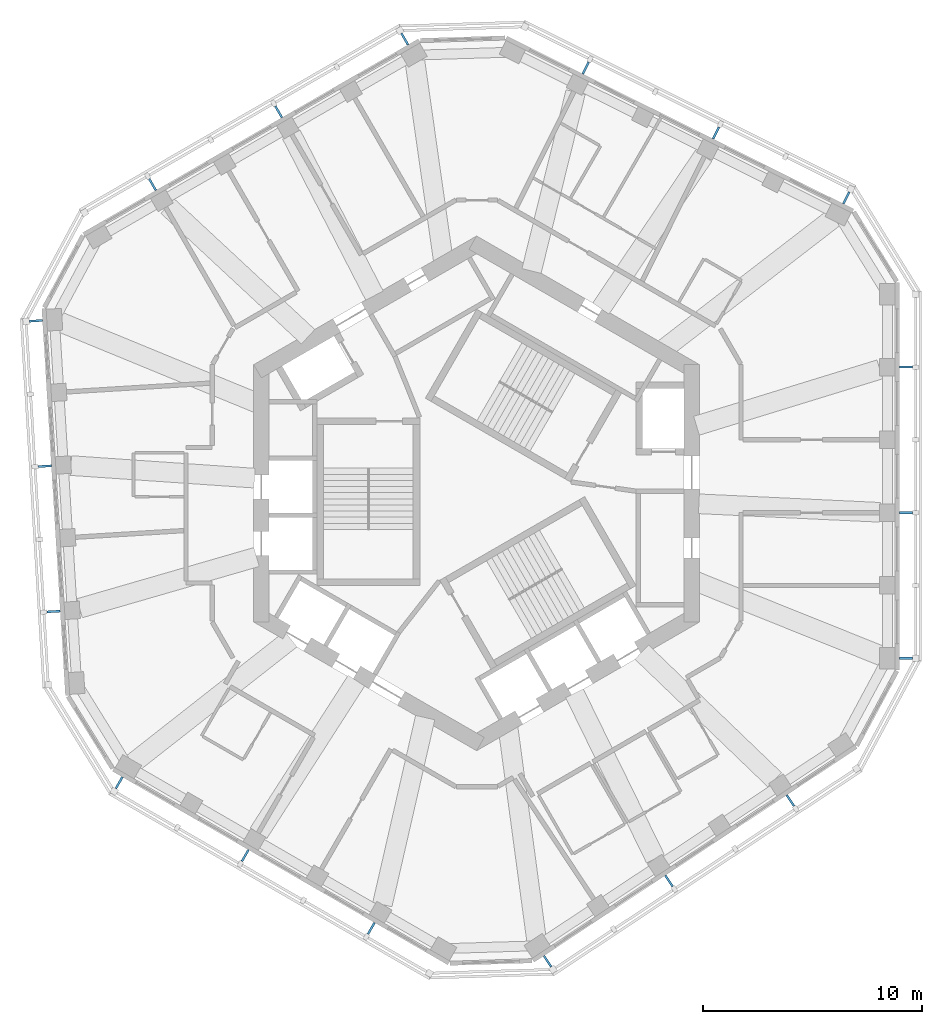
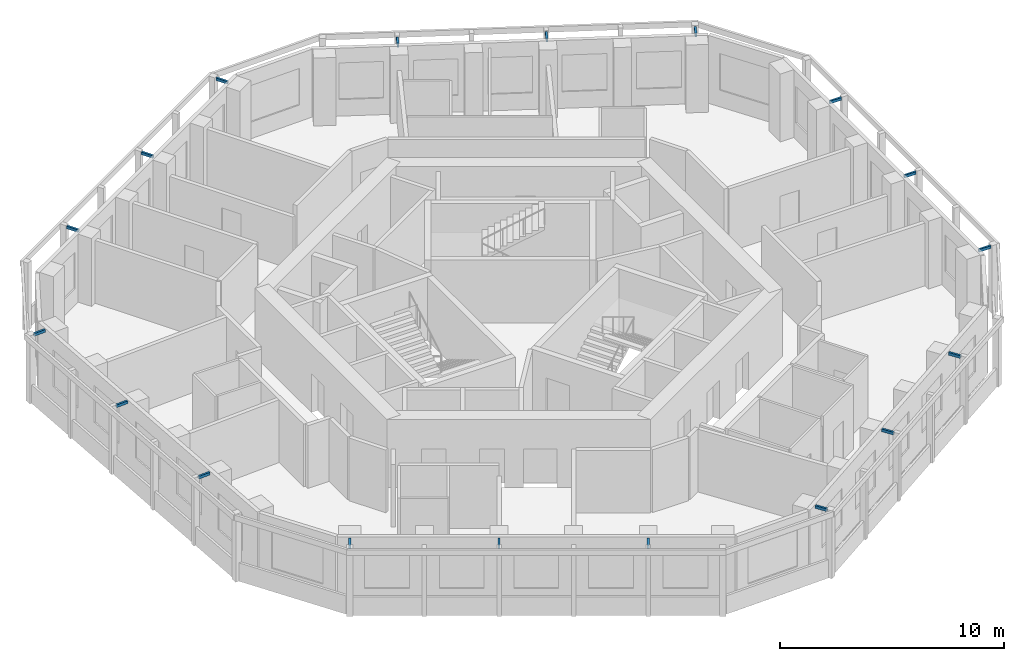
# One storey, part 10 of 11: 18 discrete accessories.
"""IFC4 building model written with IfcOpenShell, lengths in metres."""

import ifcopenshell
import ifcopenshell.guid

model = None  # the IFC model being written
_history = None  # IfcOwnerHistory: only IFC2X3 demands one
_inside = {}  # id of a spatial element -> (the spatial element, [elements in it])
_under = {}  # id of a project, library or spatial element -> (it, [spatial elements below it])
_declared = {}  # id of a project -> (the project, [libraries it declares])
_typed = {}  # id of a type object -> (the type object, [elements of that type])
_made_of = {}  # id of a material, layer set ... -> (it, [elements and type objects made of it])


def new_model(schema):
    """Start an empty IFC model of exactly this schema.

    Asked for "IFC4X3", IfcOpenShell would pick the latest addendum, in which some entities
    have other attributes; the version numbers below select the first issue.
    IFC2X3 requires an IfcOwnerHistory on every rooted entity: one is made here for all.
    """
    global model, _history
    if schema == "IFC4X3":
        model = ifcopenshell.file(schema_version=(4, 3, 0, 0))
    else:
        model = ifcopenshell.file(schema=schema)
    _inside.clear()
    _under.clear()
    _declared.clear()
    _typed.clear()
    _made_of.clear()
    _history = None
    if model.schema == "IFC2X3":
        org = make("IfcOrganization", Name="unknown")
        user = make(
            "IfcPersonAndOrganization",
            ThePerson=make("IfcPerson", FamilyName="unknown"),
            TheOrganization=org,
        )
        app = make(
            "IfcApplication",
            ApplicationDeveloper=org,
            Version="unknown",
            ApplicationFullName="unknown",
            ApplicationIdentifier="unknown",
        )
        _history = make(
            "IfcOwnerHistory",
            OwningUser=user,
            OwningApplication=app,
            ChangeAction="ADDED",
            CreationDate=0,
        )
    return model


def make(cls, **values):
    """One entity of the class cls with the attributes given. An attribute that is None is left unset."""
    return model.create_entity(
        cls, **{name: value for name, value in values.items() if value is not None}
    )


def rooted(cls, **values):
    """An entity with a GlobalId (a new one), such as an element, a storey or a relation."""
    return make(cls, GlobalId=ifcopenshell.guid.new(), OwnerHistory=_history, **values)


def si_unit(unit_type, name, prefix=None):
    """IfcSIUnit, for example si_unit("LENGTHUNIT", "METRE", prefix="MILLI")."""
    return make("IfcSIUnit", UnitType=unit_type, Prefix=prefix, Name=name)


def assignment(units):
    """IfcUnitAssignment: the units of a project."""
    return None if units is None else make("IfcUnitAssignment", Units=units)


def point(xyz):
    """IfcCartesianPoint."""
    return None if xyz is None else make("IfcCartesianPoint", Coordinates=xyz)


def direction(xyz):
    """IfcDirection."""
    return None if xyz is None else make("IfcDirection", DirectionRatios=xyz)


def frame(location, z_axis=None, x_axis=None):
    """IfcAxis2Placement3D, a coordinate frame: its origin and axes. An axis left out is left unset."""
    return make(
        "IfcAxis2Placement3D",
        Location=point(location),
        Axis=direction(z_axis),
        RefDirection=direction(x_axis),
    )


def frame_2d(location, x_axis=None):
    """IfcAxis2Placement2D, a coordinate frame in the plane: its origin and x axis."""
    return make(
        "IfcAxis2Placement2D", Location=point(location), RefDirection=direction(x_axis)
    )


def origin():
    """The frame at (0, 0, 0) with its axes left unset."""
    return frame((0.0, 0.0, 0.0))


def origin_2d():
    """The frame at (0, 0) in the plane with its x axis left unset."""
    return frame_2d((0.0, 0.0))


def place(relative_to, where):
    """IfcLocalPlacement: puts the frame where relative to a parent placement (None: the world)."""
    return make(
        "IfcLocalPlacement", PlacementRelTo=relative_to, RelativePlacement=where
    )


def context(
    kind, dimensions, precision=None, world=None, true_north=None, identifier=None
):
    """IfcGeometricRepresentationContext, for example the 3D "Model" context."""
    return make(
        "IfcGeometricRepresentationContext",
        ContextIdentifier=identifier,
        ContextType=kind,
        CoordinateSpaceDimension=dimensions,
        Precision=precision,
        WorldCoordinateSystem=world,
        TrueNorth=true_north,
    )


def subcontext(parent, identifier, kind, view, scale=None):
    """IfcGeometricRepresentationSubContext, for example "Body" below "Model"."""
    return make(
        "IfcGeometricRepresentationSubContext",
        ContextIdentifier=identifier,
        ContextType=kind,
        ParentContext=parent,
        TargetScale=scale,
        TargetView=view,
    )


def project(units=None, contexts=None):
    """IfcProject with its units and contexts."""
    return rooted(
        "IfcProject",
        Name="project",
        RepresentationContexts=contexts,
        UnitsInContext=assignment(units),
    )


def spatial(cls, under=None, at=None, **own):
    """A site, building, storey or space (cls), placed at a placement, below another one or the project."""
    s = rooted(cls, ObjectPlacement=at, **own)
    if under is not None:
        _under.setdefault(under.id(), (under, []))[1].append(s)
    return s


def profile(cls, at=None, kind="AREA", **sizes):
    """A parametric profile (cls). Its sizes go by their IFC names, for example OverallWidth=200.0."""
    return make(cls, ProfileType=kind, Position=at, **sizes)


def rectangle(**sizes):
    """IfcRectangleProfileDef."""
    return profile("IfcRectangleProfileDef", **sizes)


def extrude(swept, where, along, depth):
    """IfcExtrudedAreaSolid: the profile swept, set in the frame where, extruded along a direction by depth."""
    return make(
        "IfcExtrudedAreaSolid",
        SweptArea=swept,
        Position=where,
        ExtrudedDirection=direction(along),
        Depth=depth,
    )


def shape(context_of_items, identifier, shape_type, items):
    """IfcShapeRepresentation: the items that make up one representation, for example the "Body"."""
    return make(
        "IfcShapeRepresentation",
        ContextOfItems=context_of_items,
        RepresentationIdentifier=identifier,
        RepresentationType=shape_type,
        Items=items,
    )


def material(Name=None, Category=None):
    """IfcMaterial."""
    return make("IfcMaterial", Name=Name, Category=Category)


def made_of(thing, what):
    """Note that an element or type object is made of a material, layer set ...; save() writes the relation."""
    if what is not None:
        _made_of.setdefault(what.id(), (what, []))[1].append(thing)
    return thing


def type_object(cls, material=None, **own):
    """A type object (cls), such as IfcWallType, which elements share."""
    return made_of(rooted(cls, **own), material)


def element(
    cls,
    number,
    at=None,
    inside=None,
    cuts=None,
    type_object=None,
    material=None,
    context=None,
    identifier="Body",
    shape_type=None,
    held_by="IfcProductDefinitionShape",
    body=None,
    shapes=None,
    **own,
):
    """One element of the class cls, such as IfcWall. Its Tag is "e" and its number.

    at: its placement. inside: the storey or other place that contains it. cuts: it is an
    opening in that element (IfcRelVoidsElement). A single representation is given by context,
    identifier, shape_type and body (its items); several are given by shapes. held_by: the class
    of the entity that holds the representations. save() writes the other relations.
    """
    e = rooted(cls, Tag="e%d" % number, ObjectPlacement=at, **own)
    if body is not None:
        shapes = [shape(context, identifier, shape_type, body)]
    if shapes is not None:
        e.Representation = make(held_by, Representations=shapes)
    if inside is not None:
        _inside.setdefault(inside.id(), (inside, []))[1].append(e)
    if cuts is not None:
        rooted(
            "IfcRelVoidsElement", RelatingBuildingElement=cuts, RelatedOpeningElement=e
        )
    if type_object is not None:
        _typed.setdefault(type_object.id(), (type_object, []))[1].append(e)
    return made_of(e, material)


def aggregate(whole, parts):
    """IfcRelAggregates: a whole, such as a stair, and the parts it consists of."""
    return rooted("IfcRelAggregates", RelatingObject=whole, RelatedObjects=parts)


def save(model, path):
    """Write the relations noted so far, then the file.

    IfcRelAggregates (storeys below a building ...), IfcRelContainedInSpatialStructure (elements
    in a storey), IfcRelDefinesByType, IfcRelAssociatesMaterial and IfcRelDeclares: one each for
    every whole, place, type object, material and project.
    """
    for whole, parts in _under.values():
        aggregate(whole, parts)
    for where, things in _inside.values():
        rooted(
            "IfcRelContainedInSpatialStructure",
            RelatedElements=things,
            RelatingStructure=where,
        )
    for kind, things in _typed.values():
        rooted("IfcRelDefinesByType", RelatedObjects=things, RelatingType=kind)
    for what, things in _made_of.values():
        rooted("IfcRelAssociatesMaterial", RelatedObjects=things, RelatingMaterial=what)
    for by, libraries in _declared.values():
        rooted("IfcRelDeclares", RelatingContext=by, RelatedDefinitions=libraries)
    model.write(path)


model = new_model("IFC4")

# Units and contexts
model_context = context("Model", 3, precision=1e-05, world=origin(), true_north=direction((0.0, 1.0)))
body_context = subcontext(model_context, "Body", "Model", "MODEL_VIEW")
ifc_project = project(units=[si_unit("LENGTHUNIT", "METRE"), si_unit("AREAUNIT", "SQUARE_METRE"), si_unit("VOLUMEUNIT", "CUBIC_METRE"), si_unit("PLANEANGLEUNIT", "RADIAN"), si_unit("MASSUNIT", "GRAM", prefix="KILO")], contexts=[model_context])

# Site, building, storey
site_placement = place(None, origin())
site = spatial("IfcSite", under=ifc_project, at=site_placement, CompositionType="ELEMENT")
building_placement = place(site_placement, origin())
building = spatial("IfcBuilding", under=site, at=building_placement, Name="Vanh Sen Convention Tower", CompositionType="ELEMENT")
storey_placement = place(building_placement, frame((0.0, 0.0, 289.39990234375)))
storey = spatial("IfcBuildingStorey", under=building, at=storey_placement, Name="L71", CompositionType="ELEMENT", Elevation=289.39990234375)

# Discrete accessories
ifc_material = material(Name="Steel S355", Category="steel")
discrete_accessory_type = type_object("IfcDiscreteAccessoryType", Name="Fin bracket 100 x 150", PredefinedType="BRACKET", material=ifc_material)
for number, where, z_axis, x_axis, name in (
    (1, (19.64990234375, -7.546630859375, 3.500244140625), (0.0, 0.0, 1.0), (1.0, 0.0, 0.0), "Fin bracket E-1 L71"),
    (2, (19.64990234375, -0.88330078125, 3.500244140625), (0.0, 0.0, 1.0), (1.0, 0.0, 0.0), "Fin bracket E-3 L71"),
    (3, (19.64990234375, 5.77978515625, 3.500244140625), (0.0, 0.0, 1.0), (1.0, 0.0, 0.0), "Fin bracket E-5 L71"),
    (4, (16.922119140625, 13.52001953125, 3.500244140625), (0.0, 0.0, 1.0), (0.44619781311, 0.894934361602, 0.0), "Fin bracket NE-1 L71"),
    (5, (10.958740234375, 16.4931640625, 3.500244140625), (0.0, 0.0, 1.0), (0.44619781311, 0.894934361602, 0.0), "Fin bracket NE-3 L71"),
    (6, (4.99560546875, 19.46630859375, 3.500244140625), (0.0, 0.0, 1.0), (0.44619781311, 0.894934361602, 0.0), "Fin bracket NE-5 L71"),
    (7, (-3.289306640625, 20.790771484375, 3.500244140625), (0.0, 0.0, 1.0), (-0.5, 0.866025403784, 0.0), "Fin bracket NW-1 L71"),
    (8, (-9.059814453125, 17.458984375, 3.500244140625), (0.0, 0.0, 1.0), (-0.5, 0.866025403784, 0.0), "Fin bracket NW-3 L71"),
    (9, (-14.83056640625, 14.12744140625, 3.500244140625), (0.0, 0.0, 1.0), (-0.5, 0.866025403784, 0.0), "Fin bracket NW-5 L71"),
    (10, (-20.169677734375, 7.89501953125, 3.500244140625), (0.0, 0.0, 1.0), (-0.998134798422, -0.061048539535, 0.0), "Fin bracket W-1 L71"),
    (11, (-19.7626953125, 1.243896484375, 3.500244140625), (0.0, 0.0, 1.0), (-0.998134798422, -0.061048539535, 0.0), "Fin bracket W-3 L71"),
    (12, (-19.35595703125, -5.40673828125, 3.500244140625), (0.0, 0.0, 1.0), (-0.998134798422, -0.061048539535, 0.0), "Fin bracket W-5 L71"),
    (13, (-16.360595703125, -13.243896484375, 3.500244140625), (0.0, 0.0, 1.0), (-0.5, -0.866025403784, 0.0), "Fin bracket SW-1 L71"),
    (14, (-10.590087890625, -16.57568359375, 3.500244140625), (0.0, 0.0, 1.0), (-0.5, -0.866025403784, 0.0), "Fin bracket SW-3 L71"),
    (15, (-4.819580078125, -19.9072265625, 3.500244140625), (0.0, 0.0, 1.0), (-0.5, -0.866025403784, 0.0), "Fin bracket SW-5 L71"),
    (16, (3.24755859375, -21.414794921875, 3.500244140625), (0.0, 0.0, 1.0), (0.551936985312, -0.833885822067, 0.0), "Fin bracket SE-1 L71"),
    (17, (8.803955078125, -17.737060546875, 3.500244140625), (0.0, 0.0, 1.0), (0.551936985312, -0.833885822067, 0.0), "Fin bracket SE-3 L71"),
    (18, (14.3603515625, -14.059326171875, 3.500244140625), (0.0, 0.0, 1.0), (0.551936985312, -0.833885822067, 0.0), "Fin bracket SE-5 L71"),
):
    element("IfcDiscreteAccessory", number, at=place(storey_placement, frame(where, z_axis=z_axis, x_axis=x_axis)), inside=storey, type_object=discrete_accessory_type, Name=name, PredefinedType="BRACKET", context=body_context, shape_type="SweptSolid", body=[
        extrude(rectangle(XDim=0.60009765625, YDim=0.10009765625, at=origin_2d()), origin(), (0.0, 0.0, 1.0), 0.14990234375),
    ])

save(model, "model.ifc")
